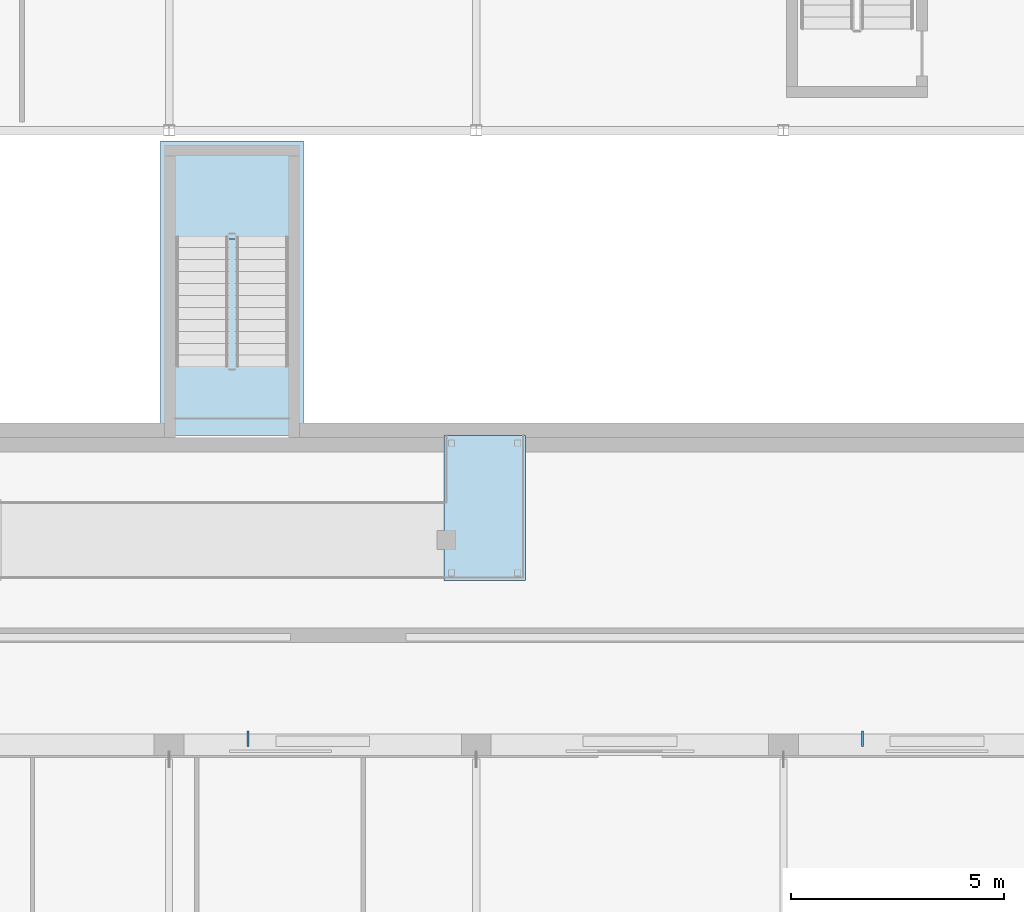
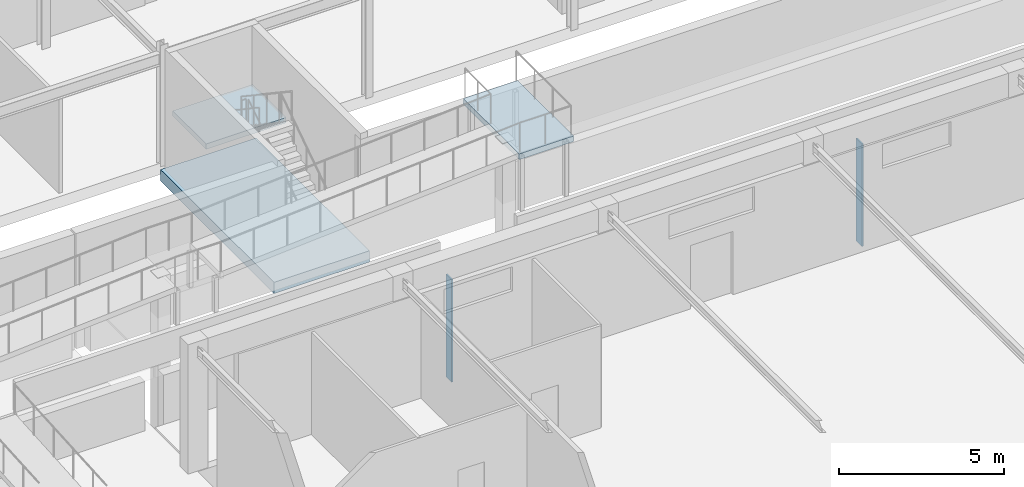
# One storey, part 41 of 85: 3 slabs, 2 plates, 2 elements without a shape of their own.
"""IFC4 building model written with IfcOpenShell, lengths in metres."""

import ifcopenshell
import ifcopenshell.guid

model = None  # the IFC model being written
_history = None  # IfcOwnerHistory: only IFC2X3 demands one
_inside = {}  # id of a spatial element -> (the spatial element, [elements in it])
_under = {}  # id of a project, library or spatial element -> (it, [spatial elements below it])
_declared = {}  # id of a project -> (the project, [libraries it declares])
_typed = {}  # id of a type object -> (the type object, [elements of that type])
_made_of = {}  # id of a material, layer set ... -> (it, [elements and type objects made of it])


def new_model(schema):
    """Start an empty IFC model of exactly this schema.

    Asked for "IFC4X3", IfcOpenShell would pick the latest addendum, in which some entities
    have other attributes; the version numbers below select the first issue.
    IFC2X3 requires an IfcOwnerHistory on every rooted entity: one is made here for all.
    """
    global model, _history
    if schema == "IFC4X3":
        model = ifcopenshell.file(schema_version=(4, 3, 0, 0))
    else:
        model = ifcopenshell.file(schema=schema)
    _inside.clear()
    _under.clear()
    _declared.clear()
    _typed.clear()
    _made_of.clear()
    _history = None
    if model.schema == "IFC2X3":
        org = make("IfcOrganization", Name="unknown")
        user = make(
            "IfcPersonAndOrganization",
            ThePerson=make("IfcPerson", FamilyName="unknown"),
            TheOrganization=org,
        )
        app = make(
            "IfcApplication",
            ApplicationDeveloper=org,
            Version="unknown",
            ApplicationFullName="unknown",
            ApplicationIdentifier="unknown",
        )
        _history = make(
            "IfcOwnerHistory",
            OwningUser=user,
            OwningApplication=app,
            ChangeAction="ADDED",
            CreationDate=0,
        )
    return model


def make(cls, **values):
    """One entity of the class cls with the attributes given. An attribute that is None is left unset."""
    return model.create_entity(
        cls, **{name: value for name, value in values.items() if value is not None}
    )


def rooted(cls, **values):
    """An entity with a GlobalId (a new one), such as an element, a storey or a relation."""
    return make(cls, GlobalId=ifcopenshell.guid.new(), OwnerHistory=_history, **values)


def si_unit(unit_type, name, prefix=None):
    """IfcSIUnit, for example si_unit("LENGTHUNIT", "METRE", prefix="MILLI")."""
    return make("IfcSIUnit", UnitType=unit_type, Prefix=prefix, Name=name)


def assignment(units):
    """IfcUnitAssignment: the units of a project."""
    return None if units is None else make("IfcUnitAssignment", Units=units)


def point(xyz):
    """IfcCartesianPoint."""
    return None if xyz is None else make("IfcCartesianPoint", Coordinates=xyz)


def direction(xyz):
    """IfcDirection."""
    return None if xyz is None else make("IfcDirection", DirectionRatios=xyz)


def frame(location, z_axis=None, x_axis=None):
    """IfcAxis2Placement3D, a coordinate frame: its origin and axes. An axis left out is left unset."""
    return make(
        "IfcAxis2Placement3D",
        Location=point(location),
        Axis=direction(z_axis),
        RefDirection=direction(x_axis),
    )


def frame_2d(location, x_axis=None):
    """IfcAxis2Placement2D, a coordinate frame in the plane: its origin and x axis."""
    return make(
        "IfcAxis2Placement2D", Location=point(location), RefDirection=direction(x_axis)
    )


def origin():
    """The frame at (0, 0, 0) with its axes left unset."""
    return frame((0.0, 0.0, 0.0))


def origin_2d():
    """The frame at (0, 0) in the plane with its x axis left unset."""
    return frame_2d((0.0, 0.0))


def place(relative_to, where):
    """IfcLocalPlacement: puts the frame where relative to a parent placement (None: the world)."""
    return make(
        "IfcLocalPlacement", PlacementRelTo=relative_to, RelativePlacement=where
    )


def context(
    kind, dimensions, precision=None, world=None, true_north=None, identifier=None
):
    """IfcGeometricRepresentationContext, for example the 3D "Model" context."""
    return make(
        "IfcGeometricRepresentationContext",
        ContextIdentifier=identifier,
        ContextType=kind,
        CoordinateSpaceDimension=dimensions,
        Precision=precision,
        WorldCoordinateSystem=world,
        TrueNorth=true_north,
    )


def subcontext(parent, identifier, kind, view, scale=None):
    """IfcGeometricRepresentationSubContext, for example "Body" below "Model"."""
    return make(
        "IfcGeometricRepresentationSubContext",
        ContextIdentifier=identifier,
        ContextType=kind,
        ParentContext=parent,
        TargetScale=scale,
        TargetView=view,
    )


def project(units=None, contexts=None):
    """IfcProject with its units and contexts."""
    return rooted(
        "IfcProject",
        Name="project",
        RepresentationContexts=contexts,
        UnitsInContext=assignment(units),
    )


def spatial(cls, under=None, at=None, **own):
    """A site, building, storey or space (cls), placed at a placement, below another one or the project."""
    s = rooted(cls, ObjectPlacement=at, **own)
    if under is not None:
        _under.setdefault(under.id(), (under, []))[1].append(s)
    return s


def polyline(points):
    """IfcPolyline through the points."""
    return make("IfcPolyline", Points=[point(p) for p in points])


def profile(cls, at=None, kind="AREA", **sizes):
    """A parametric profile (cls). Its sizes go by their IFC names, for example OverallWidth=200.0."""
    return make(cls, ProfileType=kind, Position=at, **sizes)


def rectangle(**sizes):
    """IfcRectangleProfileDef."""
    return profile("IfcRectangleProfileDef", **sizes)


def outline(outer, holes=None, kind="AREA"):
    """IfcArbitraryClosedProfileDef: a profile drawn as a closed curve; with holes, ...WithVoids."""
    if holes is None:
        return make("IfcArbitraryClosedProfileDef", ProfileType=kind, OuterCurve=outer)
    return make(
        "IfcArbitraryProfileDefWithVoids",
        ProfileType=kind,
        OuterCurve=outer,
        InnerCurves=holes,
    )


def extrude(swept, where, along, depth):
    """IfcExtrudedAreaSolid: the profile swept, set in the frame where, extruded along a direction by depth."""
    return make(
        "IfcExtrudedAreaSolid",
        SweptArea=swept,
        Position=where,
        ExtrudedDirection=direction(along),
        Depth=depth,
    )


def shape(context_of_items, identifier, shape_type, items):
    """IfcShapeRepresentation: the items that make up one representation, for example the "Body"."""
    return make(
        "IfcShapeRepresentation",
        ContextOfItems=context_of_items,
        RepresentationIdentifier=identifier,
        RepresentationType=shape_type,
        Items=items,
    )


def material(Name=None, Category=None):
    """IfcMaterial."""
    return make("IfcMaterial", Name=Name, Category=Category)


def layer(
    of_material, thickness, ventilated=None, Name=None, Category=None, Priority=None
):
    """IfcMaterialLayer: one layer of a wall or slab, of a material (None: an air gap)."""
    return make(
        "IfcMaterialLayer",
        Material=of_material,
        LayerThickness=thickness,
        IsVentilated=ventilated,
        Name=Name,
        Category=Category,
        Priority=Priority,
    )


def layer_set(layers, Name=None):
    """IfcMaterialLayerSet."""
    return make("IfcMaterialLayerSet", MaterialLayers=layers, LayerSetName=Name)


def made_of(thing, what):
    """Note that an element or type object is made of a material, layer set ...; save() writes the relation."""
    if what is not None:
        _made_of.setdefault(what.id(), (what, []))[1].append(thing)
    return thing


def type_object(cls, material=None, **own):
    """A type object (cls), such as IfcWallType, which elements share."""
    return made_of(rooted(cls, **own), material)


def element(
    cls,
    number,
    at=None,
    inside=None,
    cuts=None,
    type_object=None,
    material=None,
    context=None,
    identifier="Body",
    shape_type=None,
    held_by="IfcProductDefinitionShape",
    body=None,
    shapes=None,
    **own,
):
    """One element of the class cls, such as IfcWall. Its Tag is "e" and its number.

    at: its placement. inside: the storey or other place that contains it. cuts: it is an
    opening in that element (IfcRelVoidsElement). A single representation is given by context,
    identifier, shape_type and body (its items); several are given by shapes. held_by: the class
    of the entity that holds the representations. save() writes the other relations.
    """
    e = rooted(cls, Tag="e%d" % number, ObjectPlacement=at, **own)
    if body is not None:
        shapes = [shape(context, identifier, shape_type, body)]
    if shapes is not None:
        e.Representation = make(held_by, Representations=shapes)
    if inside is not None:
        _inside.setdefault(inside.id(), (inside, []))[1].append(e)
    if cuts is not None:
        rooted(
            "IfcRelVoidsElement", RelatingBuildingElement=cuts, RelatedOpeningElement=e
        )
    if type_object is not None:
        _typed.setdefault(type_object.id(), (type_object, []))[1].append(e)
    return made_of(e, material)


def aggregate(whole, parts):
    """IfcRelAggregates: a whole, such as a stair, and the parts it consists of."""
    return rooted("IfcRelAggregates", RelatingObject=whole, RelatedObjects=parts)


def save(model, path):
    """Write the relations noted so far, then the file.

    IfcRelAggregates (storeys below a building ...), IfcRelContainedInSpatialStructure (elements
    in a storey), IfcRelDefinesByType, IfcRelAssociatesMaterial and IfcRelDeclares: one each for
    every whole, place, type object, material and project.
    """
    for whole, parts in _under.values():
        aggregate(whole, parts)
    for where, things in _inside.values():
        rooted(
            "IfcRelContainedInSpatialStructure",
            RelatedElements=things,
            RelatingStructure=where,
        )
    for kind, things in _typed.values():
        rooted("IfcRelDefinesByType", RelatedObjects=things, RelatingType=kind)
    for what, things in _made_of.values():
        rooted("IfcRelAssociatesMaterial", RelatedObjects=things, RelatingMaterial=what)
    for by, libraries in _declared.values():
        rooted("IfcRelDeclares", RelatingContext=by, RelatedDefinitions=libraries)
    model.write(path)


model = new_model("IFC4")

# Units and contexts
model_context = context("Model", 3, precision=1e-05, world=origin(), true_north=direction((0.0, 1.0)))
body_context = subcontext(model_context, "Body", "Model", "MODEL_VIEW")
ifc_project = project(units=[si_unit("LENGTHUNIT", "METRE"), si_unit("AREAUNIT", "SQUARE_METRE"), si_unit("VOLUMEUNIT", "CUBIC_METRE"), si_unit("PLANEANGLEUNIT", "RADIAN"), si_unit("MASSUNIT", "GRAM", prefix="KILO")], contexts=[model_context])

# Site, building, storey
site_placement = place(None, origin())
site = spatial("IfcSite", under=ifc_project, at=site_placement, CompositionType="ELEMENT")
building_placement = place(site_placement, origin())
building = spatial("IfcBuilding", under=site, at=building_placement, Name="Ochrevale Crest", CompositionType="ELEMENT")
storey_placement = place(building_placement, origin())
storey = spatial("IfcBuildingStorey", under=building, at=storey_placement, Name="L00", CompositionType="ELEMENT", Elevation=0.0)

# Plates
ifc_material_1 = material(Name="Precast concrete C40/50", Category="concrete")
ifc_layer_1 = layer(ifc_material_1, 0.050048828125)
ifc_layer_set_1 = layer_set([ifc_layer_1], Name="Precast concrete C40/50")
plate_type = type_object("IfcPlateType", Name="PLT-HALL-FIN-50", PredefinedType="USERDEFINED", material=ifc_layer_set_1)
for number, where, z_axis, x_axis, name in (
    (1, (66.64990234375, 64.93994140625, 0.0), (0.0, 0.0, 1.0), (1.0, 0.0, 0.0), "Community Hall N ochre precast pilaster fin 2"),
    (2, (81.050048828125, 64.93994140625, 0.0), (0.0, 0.0, 1.0), (1.0, 0.0, 0.0), "Community Hall N ochre precast pilaster fin 4"),
):
    element("IfcPlate", number, at=place(storey_placement, frame(where, z_axis=z_axis, x_axis=x_axis)), inside=storey, type_object=plate_type, Name=name, ObjectType="ARCHITECTURAL FIN", PredefinedType="USERDEFINED", context=body_context, shape_type="SweptSolid", body=[
        extrude(rectangle(XDim=0.050048828125, YDim=0.360107421875, at=origin_2d()), origin(), (0.0, 0.0, 1.0), 3.800048828125),
    ])

# Ramp, slab
ifc_material_2 = material(Name="Concrete C40/50", Category="concrete")
ramp_type = type_object("IfcRampType", Name="RMP-ACC", PredefinedType="USERDEFINED", material=ifc_material_2)
ramp_placement = place(storey_placement, origin())
ramp = element("IfcRamp", 3, at=ramp_placement, inside=storey, type_object=ramp_type, Name="West hillside Step 2 to Step 3 accessible ramp", ObjectType="ACCESSIBLE RAMP", PredefinedType="USERDEFINED")
ifc_layer_2 = layer(ifc_material_2, 0.2099609375)
ifc_layer_set_2 = layer_set([ifc_layer_2], Name="Concrete C40/50")
slab_type_1 = type_object("IfcSlabType", Name="SLB-EXT-LAND-210", PredefinedType="LANDING", material=ifc_layer_set_2)
slab_1_placement = place(storey_placement, frame((0.0, 0.0, 4.2900390625)))
slab_1 = element("IfcSlab", 4, at=slab_1_placement, type_object=slab_type_1, Name="West hillside Step 2 to Step 3 accessible ramp upper arrival landing", PredefinedType="LANDING", context=body_context, shape_type="SweptSolid", body=[
    extrude(outline(polyline([(71.239990234375, 68.64990234375), (73.14990234375, 68.64990234375), (73.14990234375, 72.050048828125), (71.239990234375, 72.050048828125), (71.239990234375, 68.64990234375)])), origin(), (0.0, 0.0, 1.0), 0.2099609375),
])
aggregate(ramp, [slab_1])

# Slab
ifc_layer_3 = layer(ifc_material_2, 0.4150390625)
ifc_layer_set_3 = layer_set([ifc_layer_3], Name="Concrete C40/50")
slab_type_2 = type_object("IfcSlabType", Name="SLB-HALL-300", PredefinedType="FLOOR", material=ifc_layer_set_3)
slab_2_placement = place(storey_placement, frame((0.0, 0.0, -0.419921875)))
element("IfcSlab", 5, at=slab_2_placement, inside=storey, type_object=slab_type_2, Name="ST-CW1 lower structural base slab", PredefinedType="FLOOR", context=body_context, shape_type="SweptSolid", body=[
    extrude(outline(polyline([(64.60009765625, 72.050048828125), (67.949951171875, 72.050048828125), (67.949951171875, 78.949951171875), (64.60009765625, 78.949951171875), (64.60009765625, 72.050048828125)])), origin(), (0.0, 0.0, 1.0), 0.419921875),
])

# Stair, slab
stair_type = type_object("IfcStairType", Name="ST-CIVIC-DOG", PredefinedType="HALF_TURN_STAIR", material=ifc_material_1)
stair_placement = place(storey_placement, origin())
stair = element("IfcStair", 6, at=stair_placement, inside=storey, type_object=stair_type, Name="L00 West courtyard promenade dog-leg stair", PredefinedType="HALF_TURN_STAIR")
ifc_layer_4 = layer(ifc_material_1, 0.199951171875)
ifc_layer_set_4 = layer_set([ifc_layer_4], Name="Precast concrete C40/50")
slab_type_3 = type_object("IfcSlabType", Name="SLB-ST-LAND", PredefinedType="LANDING", material=ifc_layer_set_4)
slab_3_placement = place(storey_placement, frame((0.0, 0.0, 2.050048828125)))
slab_3 = element("IfcSlab", 7, at=slab_3_placement, type_object=slab_type_3, Name="ST-CW1 landing 1", PredefinedType="LANDING", context=body_context, shape_type="SweptSolid", body=[
    extrude(outline(polyline([(67.679931640625, 76.64990234375), (67.679931640625, 78.679931640625), (64.8701171875, 78.679931640625), (64.8701171875, 76.64990234375), (67.679931640625, 76.64990234375)])), origin(), (0.0, 0.0, 1.0), 0.199951171875),
])
aggregate(stair, [slab_3])

save(model, "model.ifc")
